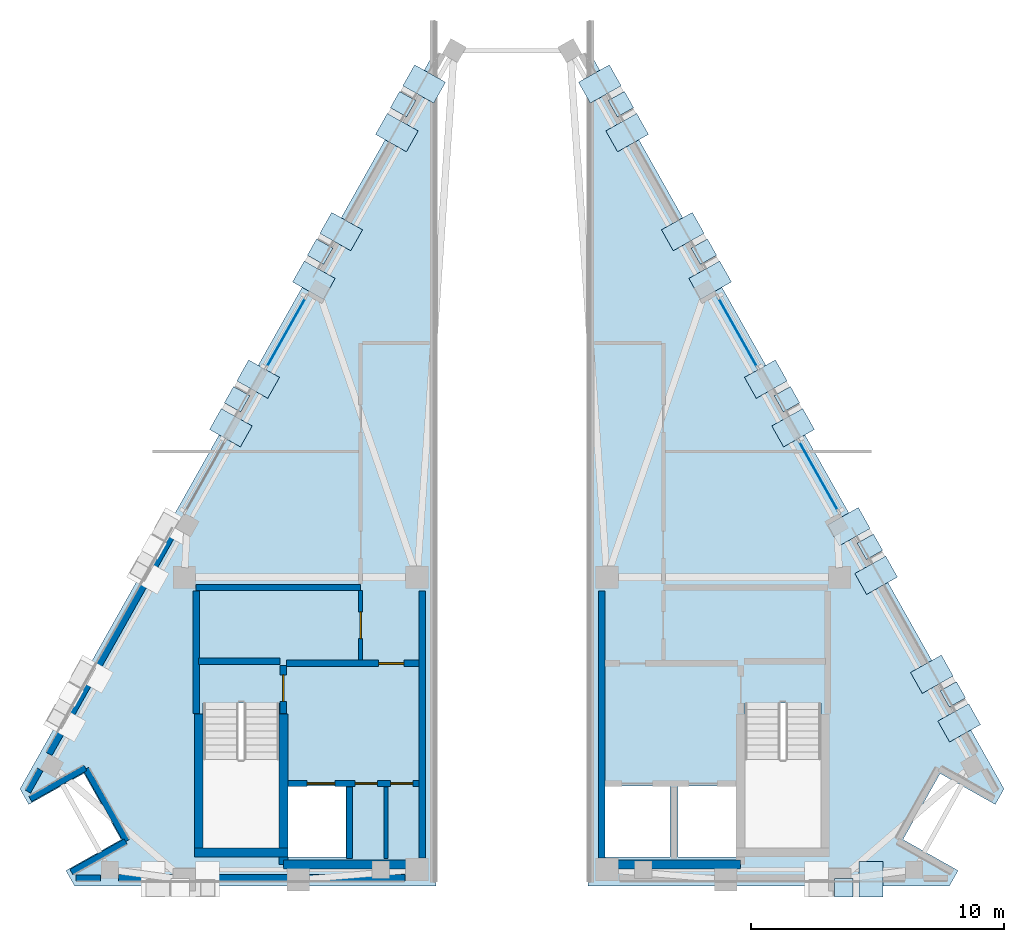
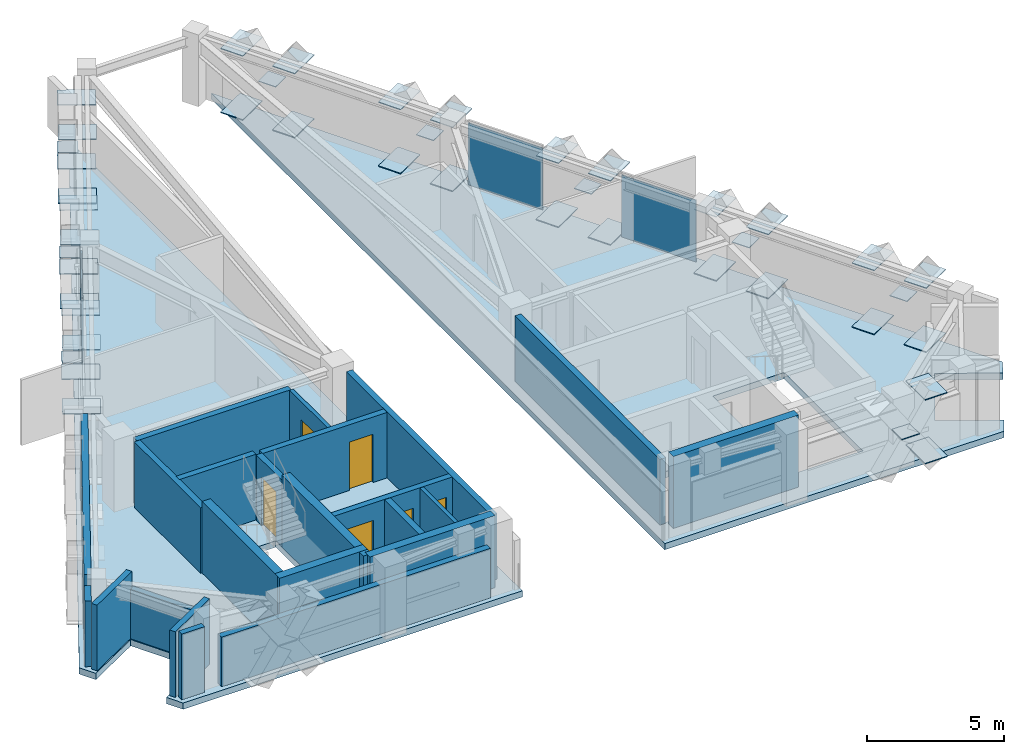
# One storey, part 3 of 7: 46 plates, 23 walls, 6 doors, 2 slabs, 6 openings, 3 elements without a shape of their own.
"""IFC4 building model written with IfcOpenShell, lengths in metres."""

from ifc_helpers import new_model, si_unit, direction, frame, frame_2d, origin, origin_2d, place, context, subcontext, project, spatial, polyline, rectangle, outline, extrude, material, layer, layer_set, type_object, element, fill, aggregate, save


model = new_model("IFC4")

# Units and contexts
model_context = context("Model", 3, precision=1e-05, world=origin(), true_north=direction((0.0, 1.0)))
body_context = subcontext(model_context, "Body", "Model", "MODEL_VIEW")
ifc_project = project(units=[si_unit("LENGTHUNIT", "METRE"), si_unit("AREAUNIT", "SQUARE_METRE"), si_unit("VOLUMEUNIT", "CUBIC_METRE"), si_unit("PLANEANGLEUNIT", "RADIAN"), si_unit("MASSUNIT", "GRAM", prefix="KILO")], contexts=[model_context])

# Site, building, storey
site_placement = place(None, origin())
site = spatial("IfcSite", under=ifc_project, at=site_placement, CompositionType="ELEMENT")
building_placement = place(site_placement, origin())
building = spatial("IfcBuilding", under=site, at=building_placement, Name="Quenlor Broadcast Tower", CompositionType="ELEMENT")
storey_placement = place(building_placement, frame((0.0, 0.0, 274.10009765625)))
storey = spatial("IfcBuildingStorey", under=building, at=storey_placement, Name="L76", CompositionType="ELEMENT", Elevation=274.10009765625)

# Curtain wall, plate
ifc_material_1 = material(Name="Architectural Terracotta and Low-E Glazing", Category="masonry")
curtain_wall_type = type_object("IfcCurtainWallType", Name="Station Concourse and Crown Terracotta Curtain Wall", PredefinedType="NOTDEFINED", material=ifc_material_1)
curtain_wall_1_placement = place(storey_placement, origin())
curtain_wall_1 = element("IfcCurtainWall", 1, at=curtain_wall_1_placement, inside=storey, type_object=curtain_wall_type, Name="L76 Curtain Wall CW6 (L76-NE-G1)", PredefinedType="NOTDEFINED")
ifc_material_2 = material(Name="Double Glazed Low-E Solar Glass", Category="glass")
ifc_layer_1 = layer(ifc_material_2, 0.033935546875)
ifc_layer_set_1 = layer_set([ifc_layer_1], Name="CW6 Double Glazed Vision Panel 34")
plate_type_1 = type_object("IfcPlateType", Name="CW6 Double Glazed Vision Panel 34", PredefinedType="CURTAIN_PANEL", material=ifc_layer_set_1)
plate_1_placement = place(storey_placement, frame((8.921630859375, 4.87646484375, 0.08203125), z_axis=(0.0, 0.0, 1.0), x_axis=(0.490268375367, -0.871571523235, 0.0)))
plate_1 = element("IfcPlate", 2, at=plate_1_placement, type_object=plate_type_1, Name="CW6 panel 1.1", PredefinedType="CURTAIN_PANEL", context=body_context, shape_type="SweptSolid", body=[
    extrude(rectangle(XDim=3.162841796875, YDim=0.033935546875, at=origin_2d()), origin(), (0.0, 0.0, 1.0), 2.756103515625),
])
aggregate(curtain_wall_1, [plate_1])

curtain_wall_2_placement = place(storey_placement, origin())
curtain_wall_2 = element("IfcCurtainWall", 3, at=curtain_wall_2_placement, inside=storey, type_object=curtain_wall_type, Name="L76 Curtain Wall CW6 (L76-NE-G2)", PredefinedType="NOTDEFINED")
plate_2_placement = place(storey_placement, frame((12.11181640625, -0.795166015625, 0.08203125), z_axis=(0.0, 0.0, 1.0), x_axis=(0.490268375367, -0.871571523235, 0.0)))
plate_2 = element("IfcPlate", 4, at=plate_2_placement, type_object=plate_type_1, Name="CW6 panel 1.1", PredefinedType="CURTAIN_PANEL", context=body_context, shape_type="SweptSolid", body=[
    extrude(rectangle(XDim=3.162841796875, YDim=0.033935546875, at=origin_2d()), origin(), (0.0, 0.0, 1.0), 2.756103515625),
])
aggregate(curtain_wall_2, [plate_2])

curtain_wall_3_placement = place(storey_placement, origin())
curtain_wall_3 = element("IfcCurtainWall", 5, at=curtain_wall_3_placement, inside=storey, type_object=curtain_wall_type, Name="L76 Curtain Wall CW6 (L76-NW-G2)", PredefinedType="NOTDEFINED")
plate_3_placement = place(storey_placement, frame((-8.921630859375, 4.87646484375, 0.08203125), z_axis=(0.0, 0.0, 1.0), x_axis=(0.490268375367, 0.871571523235, 0.0)))
plate_3 = element("IfcPlate", 6, at=plate_3_placement, type_object=plate_type_1, Name="CW6 panel 1.1", PredefinedType="CURTAIN_PANEL", context=body_context, shape_type="SweptSolid", body=[
    extrude(rectangle(XDim=3.162841796875, YDim=0.033935546875, at=origin_2d()), origin(), (0.0, 0.0, 1.0), 2.756103515625),
])
aggregate(curtain_wall_3, [plate_3])

# Plates
ifc_material_3 = material(Name="Steel S355", Category="steel")
ifc_layer_2 = layer(ifc_material_3, 0.028076171875)
ifc_layer_set_2 = layer_set([ifc_layer_2], Name="Perimeter Lattice Node Steel S355 Cap Plate 740x740x28")
plate_type_2 = type_object("IfcPlateType", Name="Perimeter Lattice Node Steel S355 Cap Plate 740x740x28", PredefinedType="USERDEFINED", material=ifc_layer_set_2)
for number, where, z_axis, x_axis, name in (
    (7, (13.10400390625, -17.070068359375, 1.4658203125), (0.0, 0.0, 1.0), (-1.0, 0.0, 0.0), "L76 Diamond Lattice Crossing Node S-C1"),
    (8, (4.302001953125, 13.894775390625, 1.4658203125), (0.0, 0.0, 1.0), (0.490295412055, -0.871556314255, 0.0), "L76 Diamond Lattice Crossing Node NE-C1"),
    (9, (7.58154296875, 8.064697265625, 1.4658203125), (0.0, 0.0, 1.0), (0.490295412055, -0.871556314255, 0.0), "L76 Diamond Lattice Crossing Node NE-C2"),
    (10, (10.86083984375, 2.234375, 1.4658203125), (0.0, 0.0, 1.0), (0.490295412055, -0.871556314255, 0.0), "L76 Diamond Lattice Crossing Node NE-C3"),
    (11, (14.140380859375, -3.595947265625, 1.4658203125), (0.0, 0.0, 1.0), (0.490295412055, -0.871556314255, 0.0), "L76 Diamond Lattice Crossing Node NE-C4"),
    (12, (17.419921875, -9.426025390625, 1.4658203125), (0.0, 0.0, 1.0), (0.490295412055, -0.871556314255, 0.0), "L76 Diamond Lattice Crossing Node NE-C5"),
    (13, (-10.86083984375, 2.234375, 1.4658203125), (0.0, 0.0, 1.0), (0.490295412055, 0.871556314255, 0.0), "L76 Diamond Lattice Crossing Node NW-C3"),
    (14, (-7.58154296875, 8.064697265625, 1.4658203125), (0.0, 0.0, 1.0), (0.490295412055, 0.871556314255, 0.0), "L76 Diamond Lattice Crossing Node NW-C4"),
    (15, (-4.302001953125, 13.894775390625, 1.4658203125), (0.0, 0.0, 1.0), (0.490295412055, 0.871556314255, 0.0), "L76 Diamond Lattice Crossing Node NW-C5"),
):
    element("IfcPlate", number, at=place(storey_placement, frame(where, z_axis=z_axis, x_axis=x_axis)), inside=storey, type_object=plate_type_2, Name=name, ObjectType="CAP PLATE", PredefinedType="USERDEFINED", context=body_context, shape_type="SweptSolid", body=[
        extrude(rectangle(XDim=0.739990234375, YDim=0.739990234375, at=origin_2d()), origin(), (0.0, 0.0, 1.0), 0.028076171875),
    ])
ifc_material_4 = material(Name="Steel S355", Category="steel")
ifc_layer_3 = layer(ifc_material_4, 0.035888671875)
ifc_layer_set_3 = layer_set([ifc_layer_3], Name="Transfer Truss Steel S355 Gusset Node Plate 1400x950x36")
plate_type_3 = type_object("IfcPlateType", Name="Transfer Truss Steel S355 Gusset Node Plate 1400x950x36", PredefinedType="SHEET", material=ifc_layer_set_3)
for number, where, z_axis, x_axis, name in (
    (16, (14.182861328125, -16.735107421875, 0.0419921875), (0.0, 0.0, 1.0), (0.0, -1.0, 0.0), "L76 Lattice Tie Gusset Node S-B1"),
    (17, (14.182861328125, -16.735107421875, 2.8818359375), (0.0, 0.0, 1.0), (0.0, -1.0, 0.0), "L76 Lattice Tie Gusset Node S-T1"),
    (18, (3.469970703125, 14.690673828125, 0.0419921875), (0.0, 0.0, 1.0), (0.871556314255, 0.490295412055, 0.0), "L76 Lattice Tie Gusset Node NE-B1"),
    (19, (4.550048828125, 12.7705078125, 2.8818359375), (0.0, 0.0, 1.0), (0.871556314255, 0.490295412055, 0.0), "L76 Lattice Tie Gusset Node NE-T2"),
    (20, (4.550048828125, 12.7705078125, 0.0419921875), (0.0, 0.0, 1.0), (0.871556314255, 0.490295412055, 0.0), "L76 Lattice Tie Gusset Node NE-B2"),
    (21, (3.469970703125, 14.690673828125, 2.8818359375), (0.0, 0.0, 1.0), (0.871556314255, 0.490295412055, 0.0), "L76 Lattice Tie Gusset Node NE-T1"),
    (22, (6.74951171875, 8.8603515625, 0.0419921875), (0.0, 0.0, 1.0), (0.871556314255, 0.490295412055, 0.0), "L76 Lattice Tie Gusset Node NE-B4"),
    (23, (7.82958984375, 6.940185546875, 2.8818359375), (0.0, 0.0, 1.0), (0.871556314255, 0.490295412055, 0.0), "L76 Lattice Tie Gusset Node NE-T5"),
    (24, (7.82958984375, 6.940185546875, 0.0419921875), (0.0, 0.0, 1.0), (0.871556314255, 0.490295412055, 0.0), "L76 Lattice Tie Gusset Node NE-B5"),
    (25, (6.74951171875, 8.8603515625, 2.8818359375), (0.0, 0.0, 1.0), (0.871556314255, 0.490295412055, 0.0), "L76 Lattice Tie Gusset Node NE-T4"),
    (26, (10.029052734375, 3.0302734375, 0.0419921875), (0.0, 0.0, 1.0), (0.871556314255, 0.490295412055, 0.0), "L76 Lattice Tie Gusset Node NE-B7"),
    (27, (11.10888671875, 1.110107421875, 2.8818359375), (0.0, 0.0, 1.0), (0.871556314255, 0.490295412055, 0.0), "L76 Lattice Tie Gusset Node NE-T8"),
    (28, (11.10888671875, 1.110107421875, 0.0419921875), (0.0, 0.0, 1.0), (0.871556314255, 0.490295412055, 0.0), "L76 Lattice Tie Gusset Node NE-B8"),
    (29, (10.029052734375, 3.0302734375, 2.8818359375), (0.0, 0.0, 1.0), (0.871556314255, 0.490295412055, 0.0), "L76 Lattice Tie Gusset Node NE-T7"),
    (30, (13.30859375, -2.800048828125, 0.0419921875), (0.0, 0.0, 1.0), (0.871556314255, 0.490295412055, 0.0), "L76 Lattice Tie Gusset Node NE-B10"),
    (31, (14.388427734375, -4.72021484375, 2.8818359375), (0.0, 0.0, 1.0), (0.871556314255, 0.490295412055, 0.0), "L76 Lattice Tie Gusset Node NE-T11"),
    (32, (14.388427734375, -4.72021484375, 0.0419921875), (0.0, 0.0, 1.0), (0.871556314255, 0.490295412055, 0.0), "L76 Lattice Tie Gusset Node NE-B11"),
    (33, (13.30859375, -2.800048828125, 2.8818359375), (0.0, 0.0, 1.0), (0.871556314255, 0.490295412055, 0.0), "L76 Lattice Tie Gusset Node NE-T10"),
    (34, (16.587890625, -8.63037109375, 0.0419921875), (0.0, 0.0, 1.0), (0.871556314255, 0.490295412055, 0.0), "L76 Lattice Tie Gusset Node NE-B13"),
    (35, (17.66796875, -10.55029296875, 2.8818359375), (0.0, 0.0, 1.0), (0.871556314255, 0.490295412055, 0.0), "L76 Lattice Tie Gusset Node NE-T14"),
    (36, (17.66796875, -10.55029296875, 0.0419921875), (0.0, 0.0, 1.0), (0.871556314255, 0.490295412055, 0.0), "L76 Lattice Tie Gusset Node NE-B14"),
    (37, (16.587890625, -8.63037109375, 2.8818359375), (0.0, 0.0, 1.0), (0.871556314255, 0.490295412055, 0.0), "L76 Lattice Tie Gusset Node NE-T13"),
    (38, (-11.10888671875, 1.110107421875, 0.0419921875), (0.0, 0.0, 1.0), (-0.871556314255, 0.490295412055, 0.0), "L76 Lattice Tie Gusset Node NW-B7"),
    (39, (-10.029052734375, 3.0302734375, 2.8818359375), (0.0, 0.0, 1.0), (-0.871556314255, 0.490295412055, 0.0), "L76 Lattice Tie Gusset Node NW-T8"),
    (40, (-10.029052734375, 3.0302734375, 0.0419921875), (0.0, 0.0, 1.0), (-0.871556314255, 0.490295412055, 0.0), "L76 Lattice Tie Gusset Node NW-B8"),
    (41, (-11.10888671875, 1.110107421875, 2.8818359375), (0.0, 0.0, 1.0), (-0.871556314255, 0.490295412055, 0.0), "L76 Lattice Tie Gusset Node NW-T7"),
    (42, (-7.82958984375, 6.940185546875, 0.0419921875), (0.0, 0.0, 1.0), (-0.871556314255, 0.490295412055, 0.0), "L76 Lattice Tie Gusset Node NW-B10"),
    (43, (-6.74951171875, 8.8603515625, 2.8818359375), (0.0, 0.0, 1.0), (-0.871556314255, 0.490295412055, 0.0), "L76 Lattice Tie Gusset Node NW-T11"),
    (44, (-6.74951171875, 8.8603515625, 0.0419921875), (0.0, 0.0, 1.0), (-0.871556314255, 0.490295412055, 0.0), "L76 Lattice Tie Gusset Node NW-B11"),
    (45, (-7.82958984375, 6.940185546875, 2.8818359375), (0.0, 0.0, 1.0), (-0.871556314255, 0.490295412055, 0.0), "L76 Lattice Tie Gusset Node NW-T10"),
    (46, (-4.550048828125, 12.7705078125, 0.0419921875), (0.0, 0.0, 1.0), (-0.871556314255, 0.490295412055, 0.0), "L76 Lattice Tie Gusset Node NW-B13"),
    (47, (-3.469970703125, 14.690673828125, 2.8818359375), (0.0, 0.0, 1.0), (-0.871556314255, 0.490295412055, 0.0), "L76 Lattice Tie Gusset Node NW-T14"),
    (48, (-3.469970703125, 14.690673828125, 0.0419921875), (0.0, 0.0, 1.0), (-0.871556314255, 0.490295412055, 0.0), "L76 Lattice Tie Gusset Node NW-B14"),
    (49, (-4.550048828125, 12.7705078125, 2.8818359375), (0.0, 0.0, 1.0), (-0.871556314255, 0.490295412055, 0.0), "L76 Lattice Tie Gusset Node NW-T13"),
):
    element("IfcPlate", number, at=place(storey_placement, frame(where, z_axis=z_axis, x_axis=x_axis)), inside=storey, type_object=plate_type_3, Name=name, PredefinedType="SHEET", context=body_context, shape_type="SweptSolid", body=[
        extrude(rectangle(XDim=1.39990234375, YDim=0.949951171875, at=origin_2d()), origin(), (0.0, 0.0, 1.0), 0.035888671875),
    ])

# Slabs
ifc_material_5 = material(Name="Concrete C50/60", Category="concrete")
ifc_layer_4 = layer(ifc_material_5, 0.280029296875)
ifc_layer_set_4 = layer_set([ifc_layer_4], Name="Wind Portal Wing Concrete C50/60 Slab 280")
slab_type = type_object("IfcSlabType", Name="Wind Portal Wing Concrete C50/60 Slab 280", PredefinedType="FLOOR", material=ifc_layer_set_4)
slab_1_placement = place(storey_placement, frame((0.0, 0.0, -0.280029296875)))
element("IfcSlab", 50, at=slab_1_placement, inside=storey, type_object=slab_type, Name="L76 Wind Portal W Wing Slab", PredefinedType="FLOOR", context=body_context, shape_type="SweptSolid", body=[
    extrude(outline(polyline([(-17.280029296875, -17.0), (-17.62548828125, -16.385498046875), (-15.44677734375, -15.159912109375), (-16.91552734375, -12.548583984375), (-19.094482421875, -13.7744140625), (-19.43994140625, -13.159912109375), (-3.0, 16.066650390625), (-3.0, -17.0), (-17.280029296875, -17.0)]), holes=[polyline([(-12.199951171875, -9.758056640625), (-12.199951171875, -15.5), (-9.199951171875, -15.5), (-9.199951171875, -9.758056640625), (-12.199951171875, -9.758056640625)]), polyline([(-8.85009765625, -15.85009765625), (-6.550048828125, -15.85009765625), (-6.550048828125, -13.050048828125), (-8.85009765625, -13.050048828125), (-8.85009765625, -15.85009765625)])]), origin(), (0.0, 0.0, 1.0), 0.280029296875),
])
slab_2_placement = place(storey_placement, frame((0.0, 0.0, -0.280029296875)))
element("IfcSlab", 51, at=slab_2_placement, inside=storey, type_object=slab_type, Name="L76 Wind Portal E Wing Slab", PredefinedType="FLOOR", context=body_context, shape_type="SweptSolid", body=[
    extrude(outline(polyline([(19.43994140625, -13.159912109375), (19.094482421875, -13.7744140625), (16.91552734375, -12.548583984375), (15.44677734375, -15.159912109375), (17.62548828125, -16.385498046875), (17.280029296875, -17.0), (3.0, -17.0), (3.0, 16.066650390625), (19.43994140625, -13.159912109375)]), holes=[polyline([(9.199951171875, -9.758056640625), (9.199951171875, -15.5), (12.199951171875, -15.5), (12.199951171875, -9.758056640625), (9.199951171875, -9.758056640625)]), polyline([(6.550048828125, -15.85009765625), (8.85009765625, -15.85009765625), (8.85009765625, -13.050048828125), (6.550048828125, -13.050048828125), (6.550048828125, -15.85009765625)]), polyline([(3.64990234375, -15.85009765625), (6.25, -15.85009765625), (6.25, -13.050048828125), (3.64990234375, -13.050048828125), (3.64990234375, -15.85009765625)])]), origin(), (0.0, 0.0, 1.0), 0.280029296875),
])

# Walls
ifc_material_6 = material(Name="Concrete C50/60", Category="concrete")
ifc_layer_5 = layer(ifc_material_6, 0.35009765625)
ifc_layer_set_5 = layer_set([ifc_layer_5], Name="Core Concrete C50/60 Shear Wall 350")
wall_type_1 = type_object("IfcWallType", Name="Core Concrete C50/60 Shear Wall 350", PredefinedType="SHEAR", material=ifc_layer_set_5)
wall_1_placement = place(storey_placement, frame((-12.550048828125, -15.675048828125, 0.0), z_axis=(0.0, 0.0, 1.0), x_axis=(1.0, 0.0, 0.0)))
element("IfcWall", 52, at=wall_1_placement, inside=storey, type_object=wall_type_1, Name="L76 Core Shear Wall WS-W1", PredefinedType="SHEAR", context=body_context, shape_type="SweptSolid", body=[
    extrude(rectangle(XDim=3.699951171875, YDim=0.35009765625, at=frame_2d((1.85009765625, 0.0))), origin(), (0.0, 0.0, 1.0), 3.199951171875),
])
for number, where, z_axis, x_axis, name in (
    (53, (-9.02490234375, -16.14990234375, 0.0), (0.0, 0.0, 1.0), (1.0, 0.0, 0.0), "L76 Core Shear Wall WS-W2"),
    (54, (3.75, -16.14990234375, 0.0), (0.0, 0.0, 1.0), (1.0, 0.0, 0.0), "L76 Core Shear Wall WS-E1"),
):
    element("IfcWall", number, at=place(storey_placement, frame(where, z_axis=z_axis, x_axis=x_axis)), inside=storey, type_object=wall_type_1, Name=name, PredefinedType="SHEAR", context=body_context, shape_type="SweptSolid", body=[
        extrude(rectangle(XDim=5.27490234375, YDim=0.35009765625, at=frame_2d((2.637451171875, 0.0))), origin(), (0.0, 0.0, 1.0), 3.199951171875),
    ])
wall_2_placement = place(storey_placement, frame((-12.375, -15.675048828125, 0.0), z_axis=(0.0, 0.0, 1.0), x_axis=(0.0, 1.0, 0.0)))
element("IfcWall", 55, at=wall_2_placement, inside=storey, type_object=wall_type_1, Name="L76 Core Shear Wall WF-W", PredefinedType="SHEAR", context=body_context, shape_type="SweptSolid", body=[
    extrude(rectangle(XDim=5.47509765625, YDim=0.35009765625, at=frame_2d((2.737548828125, 0.0))), origin(), (0.0, 0.0, 1.0), 3.199951171875),
])
wall_3_placement = place(storey_placement, frame((-9.02490234375, -16.14990234375, 0.0), z_axis=(0.0, 0.0, 1.0), x_axis=(0.0, 1.0, 0.0)))
element("IfcWall", 56, at=wall_3_placement, inside=storey, type_object=wall_type_1, Name="L76 Core Shear Wall WI-W", PredefinedType="SHEAR", context=body_context, shape_type="SweptSolid", body=[
    extrude(rectangle(XDim=5.949951171875, YDim=0.35009765625, at=frame_2d((2.97509765625, 0.0))), origin(), (0.0, 0.0, 1.0), 3.199951171875),
])

# Wall, opening, door
ifc_material_7 = material(Name="Concrete C40/50", Category="concrete")
ifc_layer_6 = layer(ifc_material_7, 0.25)
ifc_layer_set_6 = layer_set([ifc_layer_6], Name="Fire Rated Concrete C40/50 Core Wall 250")
wall_type_2 = type_object("IfcWallType", Name="Fire Rated Concrete C40/50 Core Wall 250", PredefinedType="PARTITIONING", material=ifc_layer_set_6)
wall_4_placement = place(storey_placement, frame((-9.0400390625, -10.179931640625, 0.0), z_axis=(0.0, 0.0, 1.0), x_axis=(0.0, 1.0, 0.0)))
wall_4 = element("IfcWall", 57, at=wall_4_placement, inside=storey, type_object=wall_type_2, Name="L76 Interior Wall CW-ST1-DR", PredefinedType="PARTITIONING", context=body_context, shape_type="SweptSolid", body=[
    extrude(rectangle(XDim=1.89990234375, YDim=0.25, at=frame_2d((0.949951171875, 0.0))), origin(), (0.0, 0.0, 1.0), 2.919921875),
])
opening_1_placement = place(wall_4_placement, frame((0.47998046875, 0.0, 0.0)))
opening_1 = element("IfcOpeningElement", 58, at=opening_1_placement, cuts=wall_4, Name="Opening FD-1", PredefinedType="OPENING", context=body_context, shape_type="SweptSolid", body=[
    extrude(rectangle(XDim=1.050048828125, YDim=2.14990234375, at=frame_2d((0.52490234375, 1.074951171875))), frame((0.0, 0.135009765625, 0.0), z_axis=(0.0, -1.0, 0.0), x_axis=(1.0, 0.0, 0.0)), (0.0, 0.0, 1.0), 0.27001953125),
])
ifc_material_8 = material(Name="Fire Rated Steel Door Leaf", Category="steel")
door_type_1 = type_object("IfcDoorType", Name="Fire Isolated Stair Door 1050x2150", OperationType="NOTDEFINED", PredefinedType="DOOR", material=ifc_material_8)
door_1_placement = place(opening_1_placement, origin())
door_1 = element("IfcDoor", 59, at=door_1_placement, inside=storey, type_object=door_type_1, Name="L76 Door DR-ST1", OperationType="SINGLE_SWING_LEFT", OverallHeight=2.14990234375, OverallWidth=1.050048828125, PredefinedType="DOOR", context=body_context, shape_type="SweptSolid", body=[
    extrude(rectangle(XDim=1.050048828125, YDim=2.14990234375, at=frame_2d((0.52490234375, 1.074951171875))), frame((0.0, 0.02490234375, 0.0), z_axis=(0.0, -1.0, 0.0), x_axis=(1.0, 0.0, 0.0)), (0.0, 0.0, 1.0), 0.050048828125),
])
fill(opening_1, door_1)

# Walls
wall_5_placement = place(storey_placement, frame((-12.3798828125, -8.1201171875, 0.0), z_axis=(0.0, 0.0, 1.0), x_axis=(1.0, 0.0, 0.0)))
element("IfcWall", 60, at=wall_5_placement, inside=storey, type_object=wall_type_2, Name="L76 Interior Wall CW-ST1-N", PredefinedType="PARTITIONING", context=body_context, shape_type="SweptSolid", body=[
    extrude(rectangle(XDim=3.219970703125, YDim=0.25, at=frame_2d((1.60986328125, 0.0))), origin(), (0.0, 0.0, 1.0), 2.919921875),
])
wall_6_placement = place(storey_placement, frame((-12.47998046875, -10.179931640625, 0.0), z_axis=(0.0, 0.0, 1.0), x_axis=(0.0, 1.0, 0.0)))
element("IfcWall", 61, at=wall_6_placement, inside=storey, type_object=wall_type_2, Name="L76 Interior Wall CW-ST1-W2", PredefinedType="PARTITIONING", context=body_context, shape_type="SweptSolid", body=[
    extrude(rectangle(XDim=4.83984375, YDim=0.25, at=frame_2d((2.419921875, 0.0))), origin(), (0.0, 0.0, 1.0), 2.919921875),
])

# Wall, openings, doors
wall_7_placement = place(storey_placement, frame((-8.847900390625, -12.949951171875, 0.0), z_axis=(0.0, 0.0, 1.0), x_axis=(1.0, 0.0, 0.0)))
wall_7 = element("IfcWall", 62, at=wall_7_placement, inside=storey, type_object=wall_type_2, Name="L76 Interior Wall CW-FFW-S", PredefinedType="PARTITIONING", context=body_context, shape_type="SweptSolid", body=[
    extrude(rectangle(XDim=5.16796875, YDim=0.25, at=frame_2d((2.583984375, 0.0))), origin(), (0.0, 0.0, 1.0), 2.919921875),
])
opening_2_placement = place(wall_7_placement, frame((0.748046875, 0.0, 0.0)))
opening_2 = element("IfcOpeningElement", 63, at=opening_2_placement, cuts=wall_7, Name="Opening LD-FFL-1", PredefinedType="OPENING", context=body_context, shape_type="SweptSolid", body=[
    extrude(rectangle(XDim=1.10009765625, YDim=2.14990234375, at=frame_2d((0.550048828125, 1.074951171875))), frame((0.0, 0.135009765625, 0.0), z_axis=(0.0, -1.0, 0.0), x_axis=(1.0, 0.0, 0.0)), (0.0, 0.0, 1.0), 0.27001953125),
])
opening_3_placement = place(wall_7_placement, frame((2.64794921875, 0.0, 0.0)))
opening_3 = element("IfcOpeningElement", 64, at=opening_3_placement, cuts=wall_7, Name="Opening TD-1", PredefinedType="OPENING", context=body_context, shape_type="SweptSolid", body=[
    extrude(rectangle(XDim=0.8798828125, YDim=2.10009765625, at=frame_2d((0.43994140625, 1.050048828125))), frame((0.0, 0.135009765625, 0.0), z_axis=(0.0, -1.0, 0.0), x_axis=(1.0, 0.0, 0.0)), (0.0, 0.0, 1.0), 0.27001953125),
])
opening_4_placement = place(wall_7_placement, frame((4.048095703125, 0.0, 0.0)))
opening_4 = element("IfcOpeningElement", 65, at=opening_4_placement, cuts=wall_7, Name="Opening TD-1", PredefinedType="OPENING", context=body_context, shape_type="SweptSolid", body=[
    extrude(rectangle(XDim=0.8798828125, YDim=2.10009765625, at=frame_2d((0.43994140625, 1.050048828125))), frame((0.0, 0.135009765625, 0.0), z_axis=(0.0, -1.0, 0.0), x_axis=(1.0, 0.0, 0.0)), (0.0, 0.0, 1.0), 0.27001953125),
])
ifc_material_9 = material(Name="Brushed Stainless Steel", Category="steel")
door_type_2 = type_object("IfcDoorType", Name="Emergency Lift Sliding Landing Door 1100x2150", OperationType="NOTDEFINED", PredefinedType="DOOR", material=ifc_material_9)
door_2_placement = place(opening_2_placement, origin())
door_2 = element("IfcDoor", 66, at=door_2_placement, inside=storey, type_object=door_type_2, Name="L76 Door LD-FFL-1", OperationType="SLIDING_TO_LEFT", OverallHeight=2.14990234375, OverallWidth=1.10009765625, PredefinedType="DOOR", context=body_context, shape_type="SweptSolid", body=[
    extrude(rectangle(XDim=1.10009765625, YDim=2.14990234375, at=frame_2d((0.550048828125, 1.074951171875))), frame((0.0, 0.02490234375, 0.0), z_axis=(0.0, -1.0, 0.0), x_axis=(1.0, 0.0, 0.0)), (0.0, 0.0, 1.0), 0.050048828125),
])
fill(opening_2, door_2)
ifc_material_10 = material(Name="Fire Rated Steel Access Panel", Category="steel")
door_type_3 = type_object("IfcDoorType", Name="Riser Shaft Rated Access Trapdoor 880x2100", OperationType="NOTDEFINED", PredefinedType="TRAPDOOR", material=ifc_material_10)
door_3_placement = place(opening_3_placement, origin())
door_3 = element("IfcDoor", 67, at=door_3_placement, inside=storey, type_object=door_type_3, Name="L76 Door DR-ELR", OperationType="SINGLE_SWING_LEFT", OverallHeight=2.10009765625, OverallWidth=0.8798828125, PredefinedType="TRAPDOOR", context=body_context, shape_type="SweptSolid", body=[
    extrude(rectangle(XDim=0.8798828125, YDim=2.10009765625, at=frame_2d((0.43994140625, 1.050048828125))), frame((0.0, 0.02490234375, 0.0), z_axis=(0.0, -1.0, 0.0), x_axis=(1.0, 0.0, 0.0)), (0.0, 0.0, 1.0), 0.050048828125),
])
fill(opening_3, door_3)
door_4_placement = place(opening_4_placement, origin())
door_4 = element("IfcDoor", 68, at=door_4_placement, inside=storey, type_object=door_type_3, Name="L76 Door DR-CMR", OperationType="SINGLE_SWING_RIGHT", OverallHeight=2.10009765625, OverallWidth=0.8798828125, PredefinedType="TRAPDOOR", context=body_context, shape_type="SweptSolid", body=[
    extrude(rectangle(XDim=0.8798828125, YDim=2.10009765625, at=frame_2d((0.43994140625, 1.050048828125))), frame((0.0, 0.02490234375, 0.0), z_axis=(0.0, -1.0, 0.0), x_axis=(1.0, 0.0, 0.0)), (0.0, 0.0, 1.0), 0.050048828125),
])
fill(opening_4, door_4)

# Wall
wall_8_placement = place(storey_placement, frame((-6.419921875, -15.919921875, 0.0), z_axis=(0.0, 0.0, 1.0), x_axis=(0.0, 1.0, 0.0)))
element("IfcWall", 69, at=wall_8_placement, inside=storey, type_object=wall_type_2, Name="L76 Interior Wall CW-FF1-E", PredefinedType="PARTITIONING", context=body_context, shape_type="SweptSolid", body=[
    extrude(rectangle(XDim=2.829833984375, YDim=0.25, at=frame_2d((1.4150390625, 0.0))), origin(), (0.0, 0.0, 1.0), 2.919921875),
])

# Wall, opening, door
wall_9_placement = place(storey_placement, frame((-8.919921875, -8.199951171875, 0.0), z_axis=(0.0, 0.0, 1.0), x_axis=(1.0, 0.0, 0.0)))
wall_9 = element("IfcWall", 70, at=wall_9_placement, inside=storey, type_object=wall_type_2, Name="L76 Interior Wall CW-FFW-N", PredefinedType="PARTITIONING", context=body_context, shape_type="SweptSolid", body=[
    extrude(rectangle(XDim=5.239990234375, YDim=0.25, at=frame_2d((2.6201171875, 0.0))), origin(), (0.0, 0.0, 1.0), 2.919921875),
])
opening_5_placement = place(wall_9_placement, frame((3.64990234375, 0.0, 0.0)))
opening_5 = element("IfcOpeningElement", 71, at=opening_5_placement, cuts=wall_9, Name="Opening FD-2", PredefinedType="OPENING", context=body_context, shape_type="SweptSolid", body=[
    extrude(rectangle(XDim=1.0, YDim=2.14990234375, at=frame_2d((0.5, 1.074951171875))), frame((0.0, 0.135009765625, 0.0), z_axis=(0.0, -1.0, 0.0), x_axis=(1.0, 0.0, 0.0)), (0.0, 0.0, 1.0), 0.27001953125),
])
ifc_material_11 = material(Name="Fire Rated Glazed Steel Door", Category="steel")
door_type_4 = type_object("IfcDoorType", Name="Firefighting Lobby Smoke Door 1000x2150", OperationType="NOTDEFINED", PredefinedType="DOOR", material=ifc_material_11)
door_5_placement = place(opening_5_placement, origin())
door_5 = element("IfcDoor", 72, at=door_5_placement, inside=storey, type_object=door_type_4, Name="L76 Door DR-FFLW", OperationType="SINGLE_SWING_LEFT", OverallHeight=2.14990234375, OverallWidth=1.0, PredefinedType="DOOR", context=body_context, shape_type="SweptSolid", body=[
    extrude(rectangle(XDim=1.0, YDim=2.14990234375, at=frame_2d((0.5, 1.074951171875))), frame((0.0, 0.02490234375, 0.0), z_axis=(0.0, -1.0, 0.0), x_axis=(1.0, 0.0, 0.0)), (0.0, 0.0, 1.0), 0.050048828125),
])
fill(opening_5, door_5)

# Walls
for number, where, z_axis, x_axis, name in (
    (73, (-3.550048828125, -15.89794921875, 0.0), (0.0, 0.0, 1.0), (0.0, 1.0, 0.0), "L76 Interior Wall CW-FFW-E"),
    (74, (3.550048828125, -15.89794921875, 0.0), (0.0, 0.0, 1.0), (0.0, 1.0, 0.0), "L76 Interior Wall CW-FFE-W"),
):
    element("IfcWall", number, at=place(storey_placement, frame(where, z_axis=z_axis, x_axis=x_axis)), inside=storey, type_object=wall_type_2, Name=name, PredefinedType="PARTITIONING", context=body_context, shape_type="SweptSolid", body=[
        extrude(rectangle(XDim=10.557861328125, YDim=0.25, at=frame_2d((5.27880859375, 0.0))), origin(), (0.0, 0.0, 1.0), 2.919921875),
    ])
wall_10_placement = place(storey_placement, frame((-12.47998046875, -5.199951171875, 0.0), z_axis=(0.0, 0.0, 1.0), x_axis=(1.0, 0.0, 0.0)))
element("IfcWall", 75, at=wall_10_placement, inside=storey, type_object=wall_type_2, Name="L76 Interior Wall CW-N-W", PredefinedType="PARTITIONING", context=body_context, shape_type="SweptSolid", body=[
    extrude(rectangle(XDim=6.5, YDim=0.25, at=frame_2d((3.25, 0.0))), origin(), (0.0, 0.0, 1.0), 2.919921875),
])
ifc_material_12 = material(Name="Gypsum Fireboard Partition", Category="other")
ifc_layer_7 = layer(ifc_material_12, 0.159912109375)
ifc_layer_set_7 = layer_set([ifc_layer_7], Name="Fire Rated Shaft and Corridor Partition 160")
wall_type_3 = type_object("IfcWallType", Name="Fire Rated Shaft and Corridor Partition 160", PredefinedType="PARTITIONING", material=ifc_layer_set_7)
wall_11_placement = place(storey_placement, frame((-4.97998046875, -15.919921875, 0.0), z_axis=(0.0, 0.0, 1.0), x_axis=(0.0, 1.0, 0.0)))
element("IfcWall", 76, at=wall_11_placement, inside=storey, type_object=wall_type_3, Name="L76 Interior Wall CW-ELR-E", PredefinedType="PARTITIONING", context=body_context, shape_type="SweptSolid", body=[
    extrude(rectangle(XDim=2.829833984375, YDim=0.159912109375, at=frame_2d((1.4150390625, 0.0))), origin(), (0.0, 0.0, 1.0), 2.919921875),
])

# Wall, opening, door
wall_12_placement = place(storey_placement, frame((-5.97998046875, -8.072998046875, 0.0), z_axis=(0.0, 0.0, 1.0), x_axis=(0.0, 1.0, 0.0)))
wall_12 = element("IfcWall", 77, at=wall_12_placement, inside=storey, type_object=wall_type_3, Name="L76 Interior Wall CW-CRNEQW-E", PredefinedType="PARTITIONING", context=body_context, shape_type="SweptSolid", body=[
    extrude(rectangle(XDim=2.74609375, YDim=0.159912109375, at=frame_2d((1.373046875, 0.0))), origin(), (0.0, 0.0, 1.0), 2.919921875),
])
opening_6_placement = place(wall_12_placement, frame((0.85302734375, 0.0, 0.0)))
opening_6 = element("IfcOpeningElement", 78, at=opening_6_placement, cuts=wall_12, Name="Opening FD-3", PredefinedType="OPENING", context=body_context, shape_type="SweptSolid", body=[
    extrude(rectangle(XDim=1.050048828125, YDim=2.1201171875, at=frame_2d((0.52490234375, 1.06005859375))), frame((0.0, 0.08984375, 0.0), z_axis=(0.0, -1.0, 0.0), x_axis=(1.0, 0.0, 0.0)), (0.0, 0.0, 1.0), 0.179931640625),
])
ifc_material_13 = material(Name="Galvanised Fire Steel Leaf", Category="steel")
door_type_5 = type_object("IfcDoorType", Name="Plant Room Fire Rated Door 1050x2120", OperationType="NOTDEFINED", PredefinedType="DOOR", material=ifc_material_13)
door_6_placement = place(opening_6_placement, origin())
door_6 = element("IfcDoor", 79, at=door_6_placement, inside=storey, type_object=door_type_5, Name="L76 Door DR-CRNEQW", OperationType="SINGLE_SWING_RIGHT", OverallHeight=2.1201171875, OverallWidth=1.050048828125, PredefinedType="DOOR", context=body_context, shape_type="SweptSolid", body=[
    extrude(rectangle(XDim=1.050048828125, YDim=2.1201171875, at=frame_2d((0.52490234375, 1.06005859375))), frame((0.0, 0.02490234375, 0.0), z_axis=(0.0, -1.0, 0.0), x_axis=(1.0, 0.0, 0.0)), (0.0, 0.0, 1.0), 0.050048828125),
])
fill(opening_6, door_6)

# Walls
ifc_material_14 = material(Name="Precast concrete C40/50", Category="concrete")
ifc_layer_8 = layer(ifc_material_14, 0.239990234375)
ifc_layer_set_8 = layer_set([ifc_layer_8], Name="Terrace Threshold Precast Concrete C40/50 Wall 240")
wall_type_4 = type_object("IfcWallType", Name="Terrace Threshold Precast Concrete C40/50 Wall 240", PredefinedType="STANDARD", material=ifc_layer_set_8)
wall_13_placement = place(storey_placement, frame((-16.252685546875, -16.675048828125, 0.0), z_axis=(0.0, 0.0, 1.0), x_axis=(-1.0, 0.0, 0.0)))
element("IfcWall", 80, at=wall_13_placement, inside=storey, type_object=wall_type_4, Name="L76 Exterior Wall L76-SHD-SS1", PredefinedType="STANDARD", context=body_context, shape_type="SweptSolid", body=[
    extrude(rectangle(XDim=0.96728515625, YDim=0.239990234375, at=frame_2d((0.483642578125, 0.0))), origin(), (0.0, 0.0, 1.0), 2.919921875),
])
wall_14_placement = place(storey_placement, frame((-19.127197265625, -13.26708984375, 0.0), z_axis=(0.0, 0.0, 1.0), x_axis=(0.490261239633, 0.871575537125, 0.0)))
element("IfcWall", 81, at=wall_14_placement, inside=storey, type_object=wall_type_4, Name="L76 Exterior Wall L76-SHD-NWS0", PredefinedType="STANDARD", context=body_context, shape_type="SweptSolid", body=[
    extrude(rectangle(XDim=0.994873046875, YDim=0.239990234375, at=frame_2d((0.49755859375, 0.0))), origin(), (0.0, 0.0, 1.0), 2.919921875),
])
wall_15_placement = place(storey_placement, frame((-19.033447265625, -13.556396484375, 0.0), z_axis=(0.0, 0.0, 1.0), x_axis=(0.871588577066, 0.490238056792, 0.0)))
element("IfcWall", 82, at=wall_15_placement, inside=storey, type_object=wall_type_4, Name="L76 Exterior Wall L76-CNR-13", PredefinedType="STANDARD", context=body_context, shape_type="SweptSolid", body=[
    extrude(rectangle(XDim=2.5, YDim=0.239990234375, at=frame_2d((1.25, 0.0))), origin(), (0.0, 0.0, 1.0), 2.919921875),
])
wall_16_placement = place(storey_placement, frame((-16.8349609375, -12.36572265625, 0.0), z_axis=(0.0, 0.0, 1.0), x_axis=(0.490293083368, -0.871557624258, 0.0)))
element("IfcWall", 83, at=wall_16_placement, inside=storey, type_object=wall_type_4, Name="L76 Exterior Wall L76-CNR-14", PredefinedType="STANDARD", context=body_context, shape_type="SweptSolid", body=[
    extrude(rectangle(XDim=3.276123046875, YDim=0.239990234375, at=frame_2d((1.63818359375, 0.0))), origin(), (0.0, 0.0, 1.0), 2.203857421875),
])
wall_17_placement = place(storey_placement, frame((-15.263671875, -15.240478515625, 0.0), z_axis=(0.0, 0.0, 1.0), x_axis=(-0.87157023615, -0.490270663468, 0.0)))
element("IfcWall", 84, at=wall_17_placement, inside=storey, type_object=wall_type_4, Name="L76 Exterior Wall L76-CNR-15", PredefinedType="STANDARD", context=body_context, shape_type="SweptSolid", body=[
    extrude(rectangle(XDim=2.4599609375, YDim=0.239990234375, at=frame_2d((1.22998046875, 0.0))), origin(), (0.0, 0.0, 1.0), 2.919921875),
])
ifc_material_15 = material(Name="Precast concrete C40/50", Category="concrete")
ifc_layer_9 = layer(ifc_material_15, 0.260009765625)
ifc_layer_set_9 = layer_set([ifc_layer_9], Name="Terracotta Precast Concrete C40/50 Upper Wall 260")
wall_type_5 = type_object("IfcWallType", Name="Terracotta Precast Concrete C40/50 Upper Wall 260", PredefinedType="STANDARD", material=ifc_layer_set_9)
wall_18_placement = place(storey_placement, frame((-4.219970703125, -16.675048828125, 0.0), z_axis=(0.0, 0.0, 1.0), x_axis=(-1.0, 0.0, 0.0)))
element("IfcWall", 85, at=wall_18_placement, inside=storey, type_object=wall_type_5, Name="L76 Exterior Wall L76-EW-SC", PredefinedType="STANDARD", context=body_context, shape_type="SweptSolid", body=[
    extrude(rectangle(XDim=11.322509765625, YDim=0.260009765625, at=frame_2d((5.6611328125, 0.0))), origin(), (0.0, 0.0, 1.0), 2.203857421875),
])
wall_19_placement = place(storey_placement, frame((-18.29150390625, -11.781005859375, 0.0), z_axis=(0.0, 0.0, 1.0), x_axis=(0.490270316201, 0.871570431492, 0.0)))
element("IfcWall", 86, at=wall_19_placement, inside=storey, type_object=wall_type_5, Name="L76 Exterior Wall L76-EW-NWA", PredefinedType="STANDARD", context=body_context, shape_type="SweptSolid", body=[
    extrude(rectangle(XDim=10.21630859375, YDim=0.260009765625, at=frame_2d((5.108154296875, 0.0))), origin(), (0.0, 0.0, 1.0), 2.919921875),
])

save(model, "model.ifc")
